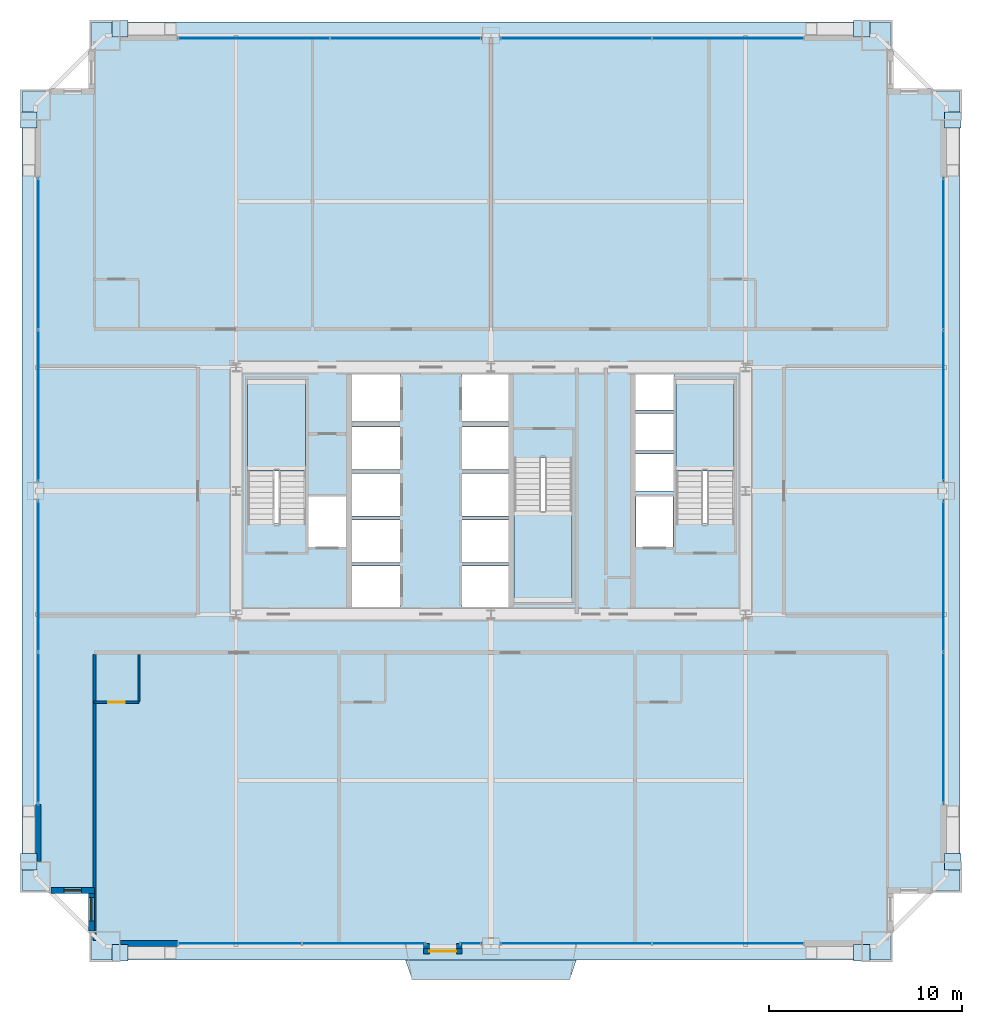
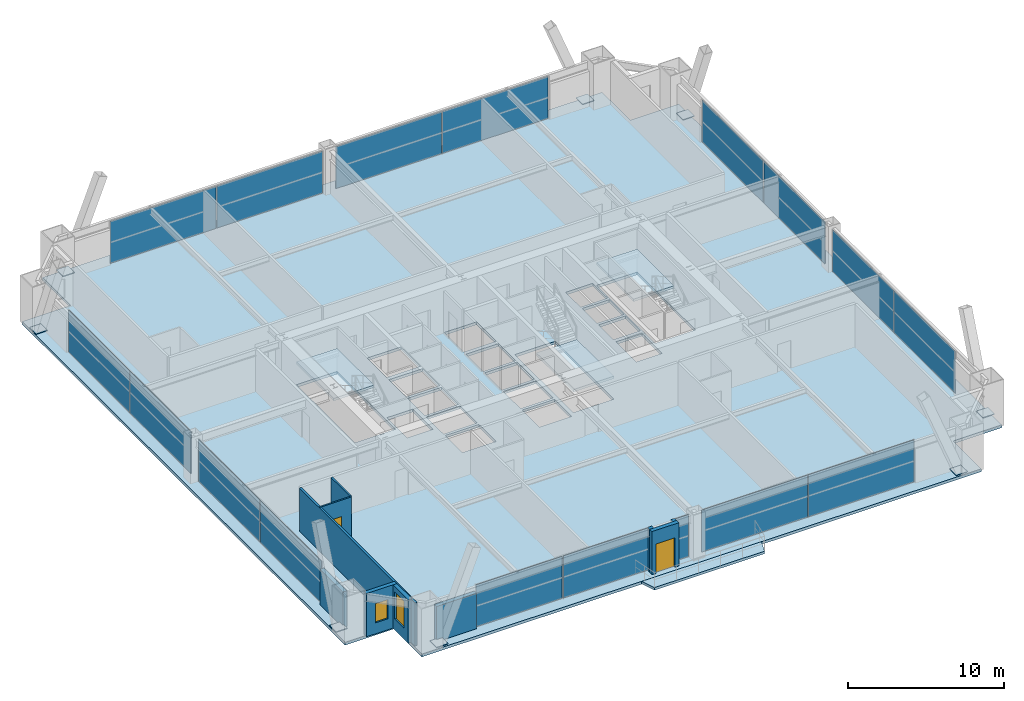
# One storey, part 38 of 43: 25 plates, 10 walls, 5 slabs, 2 doors, 2 windows, 4 openings, 12 elements without a shape of their own.
"""IFC4 building model written with IfcOpenShell, lengths in metres."""

from ifc_helpers import new_model, si_unit, direction, frame, frame_2d, origin, origin_2d, place, context, subcontext, project, spatial, polyline, rectangle, outline, extrude, source, transform, mapped, material, layer, layer_set, type_object, element, fill, aggregate, save


model = new_model("IFC4")

# Units and contexts
model_context = context("Model", 3, precision=1e-05, world=origin(), true_north=direction((0.0, 1.0)))
body_context = subcontext(model_context, "Body", "Model", "MODEL_VIEW")
ifc_project = project(units=[si_unit("LENGTHUNIT", "METRE"), si_unit("AREAUNIT", "SQUARE_METRE"), si_unit("VOLUMEUNIT", "CUBIC_METRE"), si_unit("PLANEANGLEUNIT", "RADIAN"), si_unit("MASSUNIT", "GRAM", prefix="KILO"), si_unit("THERMODYNAMICTEMPERATUREUNIT", "KELVIN"), si_unit("POWERUNIT", "WATT")], contexts=[model_context])

# Site, building, storey
site_placement = place(None, origin())
site = spatial("IfcSite", under=ifc_project, at=site_placement, CompositionType="ELEMENT")
building_placement = place(site_placement, origin())
building = spatial("IfcBuilding", under=site, at=building_placement, Name="Yuzanri Waterfront Tower", CompositionType="ELEMENT")
storey_placement = place(building_placement, frame((0.0, 0.0, 108.199951171875)))
storey = spatial("IfcBuildingStorey", under=building, at=storey_placement, Name="L28", CompositionType="ELEMENT", Elevation=108.199951171875)

# Slab
ifc_material_1 = material(Name="Concrete C40", Category="concrete")
ifc_layer_1 = layer(ifc_material_1, 0.199951171875)
ifc_layer_set_1 = layer_set([ifc_layer_1], Name="Concrete C40")
slab_type_1 = type_object("IfcSlabType", Name="Concrete C40 Cantilevered Engawa Wave Terrace Slab 200", PredefinedType="FLOOR", material=ifc_layer_set_1)
slab_1_placement = place(storey_placement, frame((0.0, 0.0, -0.199951171875)))
element("IfcSlab", 1, at=slab_1_placement, inside=storey, type_object=slab_type_1, Name="L28 S Cantilevered Engawa Terrace Slab", PredefinedType="FLOOR", context=body_context, shape_type="SweptSolid", body=[
    extrude(outline(polyline([(32.569580078125, 1.5), (41.430419921875, 1.5), (41.08056640625, 0.48095703125), (32.91943359375, 0.48095703125), (32.569580078125, 1.5)])), origin(), (0.0, 0.0, 1.0), 0.199951171875),
])

# Stair, slab
ifc_material_2 = material(Name="Concrete C40", Category="concrete")
stair_type = type_object("IfcStairType", Name="Concrete C40 Core Dogleg Exit Stair", PredefinedType="HALF_TURN_STAIR", material=ifc_material_2)
stair_1_placement = place(storey_placement, origin())
stair_1 = element("IfcStair", 2, at=stair_1_placement, inside=storey, type_object=stair_type, Name="L28 Smoke-Proof Core Stair ST-01", PredefinedType="HALF_TURN_STAIR")
ifc_material_3 = material(Name="Concrete C40", Category="concrete")
ifc_layer_2 = layer(ifc_material_3, 0.179931640625)
ifc_layer_set_2 = layer_set([ifc_layer_2], Name="Concrete C40")
slab_type_2 = type_object("IfcSlabType", Name="Concrete C40 Stair Half-Landing Slab 180", PredefinedType="LANDING", material=ifc_layer_set_2)
slab_2_placement = place(storey_placement, frame((0.0, 0.0, 1.60009765625)))
slab_2 = element("IfcSlab", 3, at=slab_2_placement, type_object=slab_type_2, Name="ST-01 landing 1", PredefinedType="LANDING", context=body_context, shape_type="SweptSolid", body=[
    extrude(outline(polyline([(27.39990234375, 26.840087890625), (27.39990234375, 31.580078125), (24.39990234375, 31.580078125), (24.39990234375, 26.840087890625), (27.39990234375, 26.840087890625)])), origin(), (0.0, 0.0, 1.0), 0.199951171875),
])
aggregate(stair_1, [slab_2])

stair_2_placement = place(storey_placement, origin())
stair_2 = element("IfcStair", 4, at=stair_2_placement, inside=storey, type_object=stair_type, Name="L28 Smoke-Proof Core Stair ST-02", PredefinedType="HALF_TURN_STAIR")
slab_3_placement = place(storey_placement, frame((0.0, 0.0, 1.60009765625)))
slab_3 = element("IfcSlab", 5, at=slab_3_placement, type_object=slab_type_2, Name="ST-02 landing 1", PredefinedType="LANDING", context=body_context, shape_type="SweptSolid", body=[
    extrude(outline(polyline([(49.60009765625, 26.840087890625), (49.60009765625, 31.580078125), (46.60009765625, 31.580078125), (46.60009765625, 26.840087890625), (49.60009765625, 26.840087890625)])), origin(), (0.0, 0.0, 1.0), 0.199951171875),
])
aggregate(stair_2, [slab_3])

stair_3_placement = place(storey_placement, origin())
stair_3 = element("IfcStair", 6, at=stair_3_placement, inside=storey, type_object=stair_type, Name="L28 Smoke-Proof Core Stair ST-03", PredefinedType="HALF_TURN_STAIR")
slab_4_placement = place(storey_placement, frame((0.0, 0.0, 1.60009765625)))
slab_4 = element("IfcSlab", 7, at=slab_4_placement, type_object=slab_type_2, Name="ST-03 landing 1", PredefinedType="LANDING", context=body_context, shape_type="SweptSolid", body=[
    extrude(outline(polyline([(38.199951171875, 24.760009765625), (38.199951171875, 20.02001953125), (41.199951171875, 20.02001953125), (41.199951171875, 24.760009765625), (38.199951171875, 24.760009765625)])), origin(), (0.0, 0.0, 1.0), 0.199951171875),
])
aggregate(stair_3, [slab_4])

# Slab
ifc_material_4 = material(Name="Concrete C40", Category="concrete")
ifc_layer_3 = layer(ifc_material_4, 0.219970703125)
ifc_layer_set_3 = layer_set([ifc_layer_3], Name="Concrete C40")
slab_type_3 = type_object("IfcSlabType", Name="Concrete C40 Tower Typical Structural Floor Slab 220", PredefinedType="FLOOR", material=ifc_layer_set_3)
slab_5_placement = place(storey_placement, frame((0.0, 0.0, -0.219970703125)))
element("IfcSlab", 8, at=slab_5_placement, inside=storey, type_object=slab_type_3, Name="L28 Main Structural Floor Slab", PredefinedType="FLOOR", context=body_context, shape_type="SweptSolid", body=[
    extrude(outline(polyline([(16.300048828125, 1.5), (57.699951171875, 1.5), (57.699951171875, 5.10009765625), (61.300048828125, 5.10009765625), (61.300048828125, 46.5), (57.699951171875, 46.5), (57.699951171875, 50.10009765625), (16.300048828125, 50.10009765625), (16.300048828125, 46.5), (12.699951171875, 46.5), (12.699951171875, 5.10009765625), (16.300048828125, 5.10009765625), (16.300048828125, 1.5)]), holes=[polyline([(27.39990234375, 24.10009765625), (27.39990234375, 31.580078125), (24.39990234375, 31.580078125), (24.39990234375, 24.10009765625), (27.39990234375, 24.10009765625)]), polyline([(49.60009765625, 24.10009765625), (49.60009765625, 31.580078125), (46.60009765625, 31.580078125), (46.60009765625, 24.10009765625), (49.60009765625, 24.10009765625)]), polyline([(38.199951171875, 27.5), (38.199951171875, 20.02001953125), (41.199951171875, 20.02001953125), (41.199951171875, 27.5), (38.199951171875, 27.5)]), polyline([(27.56005859375, 22.89990234375), (29.47998046875, 22.89990234375), (29.47998046875, 25.5), (27.56005859375, 25.5), (27.56005859375, 22.89990234375)]), polyline([(44.52001953125, 22.89990234375), (46.43994140625, 22.89990234375), (46.43994140625, 25.5), (44.52001953125, 25.5), (44.52001953125, 22.89990234375)]), polyline([(29.800048828125, 19.699951171875), (32.300048828125, 19.699951171875), (32.300048828125, 21.89990234375), (29.800048828125, 21.89990234375), (29.800048828125, 19.699951171875)]), polyline([(29.800048828125, 22.10009765625), (32.300048828125, 22.10009765625), (32.300048828125, 24.300048828125), (29.800048828125, 24.300048828125), (29.800048828125, 22.10009765625)]), polyline([(29.800048828125, 24.5), (32.300048828125, 24.5), (32.300048828125, 26.699951171875), (29.800048828125, 26.699951171875), (29.800048828125, 24.5)]), polyline([(29.800048828125, 26.89990234375), (32.300048828125, 26.89990234375), (32.300048828125, 29.10009765625), (29.800048828125, 29.10009765625), (29.800048828125, 26.89990234375)]), polyline([(29.800048828125, 29.39990234375), (32.300048828125, 29.39990234375), (32.300048828125, 31.89990234375), (29.800048828125, 31.89990234375), (29.800048828125, 29.39990234375)]), polyline([(35.5, 19.699951171875), (37.89990234375, 19.699951171875), (37.89990234375, 21.89990234375), (35.5, 21.89990234375), (35.5, 19.699951171875)]), polyline([(35.5, 22.10009765625), (37.89990234375, 22.10009765625), (37.89990234375, 24.300048828125), (35.5, 24.300048828125), (35.5, 22.10009765625)]), polyline([(35.5, 24.5), (37.89990234375, 24.5), (37.89990234375, 26.699951171875), (35.5, 26.699951171875), (35.5, 24.5)]), polyline([(35.5, 26.89990234375), (37.89990234375, 26.89990234375), (37.89990234375, 29.10009765625), (35.5, 29.10009765625), (35.5, 26.89990234375)]), polyline([(35.5, 29.39990234375), (37.89990234375, 29.39990234375), (37.89990234375, 31.89990234375), (35.5, 31.89990234375), (35.5, 29.39990234375)]), polyline([(44.5, 25.800048828125), (46.5, 25.800048828125), (46.5, 27.699951171875), (44.5, 27.699951171875), (44.5, 25.800048828125)]), polyline([(44.5, 27.89990234375), (46.5, 27.89990234375), (46.5, 29.800048828125), (44.5, 29.800048828125), (44.5, 27.89990234375)]), polyline([(44.5, 30.0), (46.5, 30.0), (46.5, 31.89990234375), (44.5, 31.89990234375), (44.5, 30.0)])]), origin(), (0.0, 0.0, 1.0), 0.219970703125),
])

# Plates
ifc_material_5 = material(Name="Steel Q420GJC", Category="steel")
ifc_layer_4 = layer(ifc_material_5, 0.0400390625)
ifc_layer_set_4 = layer_set([ifc_layer_4], Name="Steel Q420GJC")
plate_type_1 = type_object("IfcPlateType", Name="Steel Q420GJC Mega-Brace Gusset and End-Cap Plate 40", PredefinedType="SHEET", material=ifc_layer_set_4)
shared_shape_1 = source(origin(), body_context, "Body", "SweptSolid", [
    extrude(rectangle(XDim=0.85009765625, YDim=0.85009765625, at=origin_2d()), origin(), (0.0, 0.0, 1.0), 0.0400390625),
])
for number, where, z_axis, x_axis, name in (
    (9, (17.780029296875, 1.860107421875, 0.159912109375), (0.0, 0.0, 1.0), (1.0, 0.0, 0.0), "L28 Mega-Brace Foot Cap Plate S-L"),
    (10, (56.219970703125, 1.860107421875, 0.159912109375), (0.0, 0.0, 1.0), (1.0, 0.0, 0.0), "L28 Mega-Brace Foot Cap Plate S-R"),
    (11, (17.780029296875, 49.739990234375, 0.159912109375), (0.0, 0.0, 1.0), (1.0, 0.0, 0.0), "L28 Mega-Brace Foot Cap Plate N-L"),
    (12, (56.219970703125, 49.739990234375, 0.159912109375), (0.0, 0.0, 1.0), (1.0, 0.0, 0.0), "L28 Mega-Brace Foot Cap Plate N-R"),
    (13, (13.06005859375, 6.580078125, 0.159912109375), (0.0, 0.0, 1.0), (1.0, 0.0, 0.0), "L28 Mega-Brace Foot Cap Plate W-L"),
    (14, (13.06005859375, 45.02001953125, 0.159912109375), (0.0, 0.0, 1.0), (1.0, 0.0, 0.0), "L28 Mega-Brace Foot Cap Plate W-R"),
    (15, (60.93994140625, 6.580078125, 0.159912109375), (0.0, 0.0, 1.0), (1.0, 0.0, 0.0), "L28 Mega-Brace Foot Cap Plate E-L"),
    (16, (60.93994140625, 45.02001953125, 0.159912109375), (0.0, 0.0, 1.0), (1.0, 0.0, 0.0), "L28 Mega-Brace Foot Cap Plate E-R"),
):
    element("IfcPlate", number, at=place(storey_placement, frame(where, z_axis=z_axis, x_axis=x_axis)), inside=storey, type_object=plate_type_1, Name=name, PredefinedType="SHEET", context=body_context, shape_type="MappedRepresentation", body=[
        mapped(shared_shape_1, transform((0.0, 0.0, 0.0), scale=1.0)),
    ])

# Curtain wall, plates
ifc_material_6 = material(Name="Anodized Architectural Bronze", Category="metal")
ifc_layer_5 = layer(ifc_material_6, 0.159912109375)
ifc_layer_set_5 = layer_set([ifc_layer_5], Name="Anodized Architectural Bronze")
curtain_wall_type = type_object("IfcCurtainWallType", Name="Anodized Bronze Hotel Upper-Tier Solar-Control Unitized Curtain Wall 7800", PredefinedType="NOTDEFINED", material=ifc_layer_set_5)
curtain_wall_1_placement = place(storey_placement, origin())
curtain_wall_1 = element("IfcCurtainWall", 17, at=curtain_wall_1_placement, inside=storey, type_object=curtain_wall_type, Name="L28 Curtain Wall CW-L28-SR", PredefinedType="NOTDEFINED")
ifc_material_7 = material(Name="Double-Silver Low-E Insulated Glass", Category="glass")
ifc_layer_6 = layer(ifc_material_7, 0.035888671875)
ifc_layer_set_6 = layer_set([ifc_layer_6], Name="Double-Silver Low-E Insulated Glass")
plate_type_2 = type_object("IfcPlateType", Name="Double Silver Low-E Insulated Vision Glass Panel 36", PredefinedType="CURTAIN_PANEL", material=ifc_layer_set_6)
shared_shape_2 = source(origin(), body_context, "Body", "SweptSolid", [
    extrude(rectangle(XDim=7.820068359375, YDim=0.035888671875, at=origin_2d()), origin(), (0.0, 0.0, 1.0), 3.280029296875),
])
plate_1_placement = place(storey_placement, frame((41.39990234375, 2.35009765625, 0.0498046875), z_axis=(0.0, 0.0, 1.0), x_axis=(1.0, 0.0, 0.0)))
plate_1 = element("IfcPlate", 18, at=plate_1_placement, type_object=plate_type_2, Name="CW-L28-SR Vision Glass Panel 01", PredefinedType="CURTAIN_PANEL", context=body_context, shape_type="MappedRepresentation", body=[
    mapped(shared_shape_2, transform((0.0, 0.0, 0.0), scale=1.0)),
])
plate_2_placement = place(storey_placement, frame((49.300048828125, 2.35009765625, 0.0498046875), z_axis=(0.0, 0.0, 1.0), x_axis=(1.0, 0.0, 0.0)))
plate_2 = element("IfcPlate", 19, at=plate_2_placement, type_object=plate_type_2, Name="CW-L28-SR Vision Glass Panel 02", PredefinedType="CURTAIN_PANEL", context=body_context, shape_type="MappedRepresentation", body=[
    mapped(shared_shape_2, transform((0.0, 0.0, 0.0), scale=1.0)),
])
aggregate(curtain_wall_1, [plate_1, plate_2])

curtain_wall_2_placement = place(storey_placement, origin())
curtain_wall_2 = element("IfcCurtainWall", 20, at=curtain_wall_2_placement, inside=storey, type_object=curtain_wall_type, Name="L28 Curtain Wall CW-L28-NL", PredefinedType="NOTDEFINED")
plate_3_placement = place(storey_placement, frame((24.699951171875, 49.25, 0.0498046875), z_axis=(0.0, 0.0, 1.0), x_axis=(1.0, 0.0, 0.0)))
plate_3 = element("IfcPlate", 21, at=plate_3_placement, type_object=plate_type_2, Name="CW-L28-NL Vision Glass Panel 01", PredefinedType="CURTAIN_PANEL", context=body_context, shape_type="MappedRepresentation", body=[
    mapped(shared_shape_2, transform((0.0, 0.0, 0.0), scale=1.0)),
])
plate_4_placement = place(storey_placement, frame((32.60009765625, 49.25, 0.0498046875), z_axis=(0.0, 0.0, 1.0), x_axis=(1.0, 0.0, 0.0)))
plate_4 = element("IfcPlate", 22, at=plate_4_placement, type_object=plate_type_2, Name="CW-L28-NL Vision Glass Panel 02", PredefinedType="CURTAIN_PANEL", context=body_context, shape_type="MappedRepresentation", body=[
    mapped(shared_shape_2, transform((0.0, 0.0, 0.0), scale=1.0)),
])
aggregate(curtain_wall_2, [plate_3, plate_4])

curtain_wall_3_placement = place(storey_placement, origin())
curtain_wall_3 = element("IfcCurtainWall", 23, at=curtain_wall_3_placement, inside=storey, type_object=curtain_wall_type, Name="L28 Curtain Wall CW-L28-NR", PredefinedType="NOTDEFINED")
plate_5_placement = place(storey_placement, frame((41.39990234375, 49.25, 0.0498046875), z_axis=(0.0, 0.0, 1.0), x_axis=(1.0, 0.0, 0.0)))
plate_5 = element("IfcPlate", 24, at=plate_5_placement, type_object=plate_type_2, Name="CW-L28-NR Vision Glass Panel 01", PredefinedType="CURTAIN_PANEL", context=body_context, shape_type="MappedRepresentation", body=[
    mapped(shared_shape_2, transform((0.0, 0.0, 0.0), scale=1.0)),
])
plate_6_placement = place(storey_placement, frame((49.300048828125, 49.25, 0.0498046875), z_axis=(0.0, 0.0, 1.0), x_axis=(1.0, 0.0, 0.0)))
plate_6 = element("IfcPlate", 25, at=plate_6_placement, type_object=plate_type_2, Name="CW-L28-NR Vision Glass Panel 02", PredefinedType="CURTAIN_PANEL", context=body_context, shape_type="MappedRepresentation", body=[
    mapped(shared_shape_2, transform((0.0, 0.0, 0.0), scale=1.0)),
])
aggregate(curtain_wall_3, [plate_5, plate_6])

curtain_wall_4_placement = place(storey_placement, origin())
curtain_wall_4 = element("IfcCurtainWall", 26, at=curtain_wall_4_placement, inside=storey, type_object=curtain_wall_type, Name="L28 Curtain Wall CW-L28-WL", PredefinedType="NOTDEFINED")
plate_7_placement = place(storey_placement, frame((13.550048828125, 13.5, 0.0498046875), z_axis=(0.0, 0.0, 1.0), x_axis=(0.0, 1.0, 0.0)))
plate_7 = element("IfcPlate", 27, at=plate_7_placement, type_object=plate_type_2, Name="CW-L28-WL Vision Glass Panel 01", PredefinedType="CURTAIN_PANEL", context=body_context, shape_type="MappedRepresentation", body=[
    mapped(shared_shape_2, transform((0.0, 0.0, 0.0), scale=1.0)),
])
plate_8_placement = place(storey_placement, frame((13.550048828125, 21.39990234375, 0.0498046875), z_axis=(0.0, 0.0, 1.0), x_axis=(0.0, 1.0, 0.0)))
plate_8 = element("IfcPlate", 28, at=plate_8_placement, type_object=plate_type_2, Name="CW-L28-WL Vision Glass Panel 02", PredefinedType="CURTAIN_PANEL", context=body_context, shape_type="MappedRepresentation", body=[
    mapped(shared_shape_2, transform((0.0, 0.0, 0.0), scale=1.0)),
])
aggregate(curtain_wall_4, [plate_7, plate_8])

curtain_wall_5_placement = place(storey_placement, origin())
curtain_wall_5 = element("IfcCurtainWall", 29, at=curtain_wall_5_placement, inside=storey, type_object=curtain_wall_type, Name="L28 Curtain Wall CW-L28-WR", PredefinedType="NOTDEFINED")
plate_9_placement = place(storey_placement, frame((13.550048828125, 30.199951171875, 0.0498046875), z_axis=(0.0, 0.0, 1.0), x_axis=(0.0, 1.0, 0.0)))
plate_9 = element("IfcPlate", 30, at=plate_9_placement, type_object=plate_type_2, Name="CW-L28-WR Vision Glass Panel 01", PredefinedType="CURTAIN_PANEL", context=body_context, shape_type="MappedRepresentation", body=[
    mapped(shared_shape_2, transform((0.0, 0.0, 0.0), scale=1.0)),
])
plate_10_placement = place(storey_placement, frame((13.550048828125, 38.10009765625, 0.0498046875), z_axis=(0.0, 0.0, 1.0), x_axis=(0.0, 1.0, 0.0)))
plate_10 = element("IfcPlate", 31, at=plate_10_placement, type_object=plate_type_2, Name="CW-L28-WR Vision Glass Panel 02", PredefinedType="CURTAIN_PANEL", context=body_context, shape_type="MappedRepresentation", body=[
    mapped(shared_shape_2, transform((0.0, 0.0, 0.0), scale=1.0)),
])
aggregate(curtain_wall_5, [plate_9, plate_10])

curtain_wall_6_placement = place(storey_placement, origin())
curtain_wall_6 = element("IfcCurtainWall", 32, at=curtain_wall_6_placement, inside=storey, type_object=curtain_wall_type, Name="L28 Curtain Wall CW-L28-EL", PredefinedType="NOTDEFINED")
plate_11_placement = place(storey_placement, frame((60.449951171875, 13.5, 0.0498046875), z_axis=(0.0, 0.0, 1.0), x_axis=(0.0, 1.0, 0.0)))
plate_11 = element("IfcPlate", 33, at=plate_11_placement, type_object=plate_type_2, Name="CW-L28-EL Vision Glass Panel 01", PredefinedType="CURTAIN_PANEL", context=body_context, shape_type="MappedRepresentation", body=[
    mapped(shared_shape_2, transform((0.0, 0.0, 0.0), scale=1.0)),
])
plate_12_placement = place(storey_placement, frame((60.449951171875, 21.39990234375, 0.0498046875), z_axis=(0.0, 0.0, 1.0), x_axis=(0.0, 1.0, 0.0)))
plate_12 = element("IfcPlate", 34, at=plate_12_placement, type_object=plate_type_2, Name="CW-L28-EL Vision Glass Panel 02", PredefinedType="CURTAIN_PANEL", context=body_context, shape_type="MappedRepresentation", body=[
    mapped(shared_shape_2, transform((0.0, 0.0, 0.0), scale=1.0)),
])
aggregate(curtain_wall_6, [plate_11, plate_12])

curtain_wall_7_placement = place(storey_placement, origin())
curtain_wall_7 = element("IfcCurtainWall", 35, at=curtain_wall_7_placement, inside=storey, type_object=curtain_wall_type, Name="L28 Curtain Wall CW-L28-ER", PredefinedType="NOTDEFINED")
plate_13_placement = place(storey_placement, frame((60.449951171875, 30.199951171875, 0.0498046875), z_axis=(0.0, 0.0, 1.0), x_axis=(0.0, 1.0, 0.0)))
plate_13 = element("IfcPlate", 36, at=plate_13_placement, type_object=plate_type_2, Name="CW-L28-ER Vision Glass Panel 01", PredefinedType="CURTAIN_PANEL", context=body_context, shape_type="MappedRepresentation", body=[
    mapped(shared_shape_2, transform((0.0, 0.0, 0.0), scale=1.0)),
])
plate_14_placement = place(storey_placement, frame((60.449951171875, 38.10009765625, 0.0498046875), z_axis=(0.0, 0.0, 1.0), x_axis=(0.0, 1.0, 0.0)))
plate_14 = element("IfcPlate", 37, at=plate_14_placement, type_object=plate_type_2, Name="CW-L28-ER Vision Glass Panel 02", PredefinedType="CURTAIN_PANEL", context=body_context, shape_type="MappedRepresentation", body=[
    mapped(shared_shape_2, transform((0.0, 0.0, 0.0), scale=1.0)),
])
aggregate(curtain_wall_7, [plate_13, plate_14])

curtain_wall_8_placement = place(storey_placement, origin())
curtain_wall_8 = element("IfcCurtainWall", 38, at=curtain_wall_8_placement, inside=storey, type_object=curtain_wall_type, Name="L28 Curtain Wall CW-L28-SL1", PredefinedType="NOTDEFINED")
shared_shape_3 = source(origin(), body_context, "Body", "SweptSolid", [
    extrude(rectangle(XDim=6.375, YDim=0.035888671875, at=origin_2d()), origin(), (0.0, 0.0, 1.0), 3.280029296875),
])
plate_15_placement = place(storey_placement, frame((23.9775390625, 2.35009765625, 0.0498046875), z_axis=(0.0, 0.0, 1.0), x_axis=(1.0, 0.0, 0.0)))
plate_15 = element("IfcPlate", 39, at=plate_15_placement, type_object=plate_type_2, Name="CW-L28-SL1 Vision Glass Panel 01", PredefinedType="CURTAIN_PANEL", context=body_context, shape_type="MappedRepresentation", body=[
    mapped(shared_shape_3, transform((0.0, 0.0, 0.0), scale=1.0)),
])
plate_16_placement = place(storey_placement, frame((30.4326171875, 2.35009765625, 0.0498046875), z_axis=(0.0, 0.0, 1.0), x_axis=(1.0, 0.0, 0.0)))
plate_16 = element("IfcPlate", 40, at=plate_16_placement, type_object=plate_type_2, Name="CW-L28-SL1 Vision Glass Panel 02", PredefinedType="CURTAIN_PANEL", context=body_context, shape_type="MappedRepresentation", body=[
    mapped(shared_shape_3, transform((0.0, 0.0, 0.0), scale=1.0)),
])
aggregate(curtain_wall_8, [plate_15, plate_16])

# Curtain wall, plate
curtain_wall_9_placement = place(storey_placement, origin())
curtain_wall_9 = element("IfcCurtainWall", 41, at=curtain_wall_9_placement, inside=storey, type_object=curtain_wall_type, Name="L28 Curtain Wall CW-L28-SL2", PredefinedType="NOTDEFINED")
shared_shape_4 = source(origin(), body_context, "Body", "SweptSolid", [
    extrude(rectangle(XDim=1.110107421875, YDim=0.035888671875, at=origin_2d()), origin(), (0.0, 0.0, 1.0), 3.280029296875),
])
plate_17_placement = place(storey_placement, frame((35.955078125, 2.35009765625, 0.0498046875), z_axis=(0.0, 0.0, 1.0), x_axis=(1.0, 0.0, 0.0)))
plate_17 = element("IfcPlate", 42, at=plate_17_placement, type_object=plate_type_2, Name="CW-L28-SL2 Vision Glass Panel 01", PredefinedType="CURTAIN_PANEL", context=body_context, shape_type="MappedRepresentation", body=[
    mapped(shared_shape_4, transform((0.0, 0.0, 0.0), scale=1.0)),
])
aggregate(curtain_wall_9, [plate_17])

# Wall, opening, door
ifc_material_8 = material(Name="Moisture-Resistant Gypsum Stud Wall", Category="gypsum")
ifc_layer_7 = layer(ifc_material_8, 0.1201171875)
ifc_layer_set_7 = layer_set([ifc_layer_7], Name="Moisture-Resistant Gypsum Stud Wall")
wall_type_1 = type_object("IfcWallType", Name="Bathroom and Kitchen Wet Partition 120", PredefinedType="PARTITIONING", material=ifc_layer_set_7)
wall_1_placement = place(storey_placement, frame((16.43994140625, 14.840087890625, 0.0), z_axis=(0.0, 0.0, 1.0), x_axis=(1.0, 0.0, 0.0)))
wall_1 = element("IfcWall", 43, at=wall_1_placement, inside=storey, type_object=wall_type_1, Name="L28 Partition UW-L28-S1-BS", PredefinedType="PARTITIONING", context=body_context, shape_type="SweptSolid", body=[
    extrude(rectangle(XDim=2.330078125, YDim=0.1201171875, at=frame_2d((1.1650390625, 0.0))), origin(), (0.0, 0.0, 1.0), 3.380126953125),
])
opening_1_placement = place(wall_1_placement, frame((0.739990234375, 0.0, 0.0)))
opening_1 = element("IfcOpeningElement", 44, at=opening_1_placement, cuts=wall_1, Name="Opening ID-0850", PredefinedType="OPENING", context=body_context, shape_type="SweptSolid", body=[
    extrude(rectangle(XDim=0.85009765625, YDim=2.10009765625, at=frame_2d((0.425048828125, 1.050048828125))), frame((0.0, 0.074951171875, 0.0), z_axis=(0.0, -1.0, 0.0), x_axis=(1.0, 0.0, 0.0)), (0.0, 0.0, 1.0), 0.14990234375),
])
ifc_material_9 = material(Name="Moisture-Resistant Lacquered Timber", Category="wood")
door_type_1 = type_object("IfcDoorType", Name="En-Suite Bathroom and Kitchen Swing Door 850x2100", OperationType="NOTDEFINED", PredefinedType="DOOR", material=ifc_material_9)
shared_shape_5 = source(origin(), body_context, "Body", "SweptSolid", [
    extrude(rectangle(XDim=0.85009765625, YDim=2.10009765625, at=frame_2d((0.425048828125, 1.050048828125))), frame((0.0, 0.02490234375, 0.0), z_axis=(0.0, -1.0, 0.0), x_axis=(1.0, 0.0, 0.0)), (0.0, 0.0, 1.0), 0.050048828125),
])
door_1_placement = place(opening_1_placement, origin())
door_1 = element("IfcDoor", 45, at=door_1_placement, inside=storey, type_object=door_type_1, Name="L28 Guest En-Suite Door", OperationType="SINGLE_SWING_LEFT", OverallHeight=2.10009765625, OverallWidth=0.85009765625, PredefinedType="DOOR", context=body_context, shape_type="MappedRepresentation", body=[
    mapped(shared_shape_5, transform((0.0, 0.0, 0.0), scale=1.0)),
])
fill(opening_1, door_1)

# Wall, opening, window
ifc_material_10 = material(Name="Honed Chongqing Dark Basalt Stone", Category="masonry")
ifc_layer_8 = layer(ifc_material_10, 0.300048828125)
ifc_layer_set_8 = layer_set([ifc_layer_8], Name="Honed Chongqing Dark Basalt Stone")
wall_type_2 = type_object("IfcWallType", Name="Bronze Rainscreen Insulated Spandrel Portal Wall 300", PredefinedType="SOLIDWALL", material=ifc_layer_set_8)
wall_2_placement = place(storey_placement, frame((14.199951171875, 5.10009765625, 0.0), z_axis=(0.0, 0.0, 1.0), x_axis=(1.0, 0.0, 0.0)))
wall_2 = element("IfcWall", 46, at=wall_2_placement, inside=storey, type_object=wall_type_2, Name="L28 Notched Corner Masonry Wall SW-X", PredefinedType="SOLIDWALL", context=body_context, shape_type="SweptSolid", body=[
    extrude(rectangle(XDim=2.25, YDim=0.300048828125, at=frame_2d((1.125, 0.0))), origin(), (0.0, 0.0, 1.0), 3.380126953125),
])
opening_2_placement = place(wall_2_placement, frame((0.675048828125, 0.0, 0.85009765625)))
opening_2 = element("IfcOpeningElement", 47, at=opening_2_placement, cuts=wall_2, Name="Opening WN-05", PredefinedType="OPENING", context=body_context, shape_type="SweptSolid", body=[
    extrude(rectangle(XDim=0.89990234375, YDim=1.5, at=frame_2d((0.449951171875, 0.75))), frame((0.0, 0.1650390625, 0.0), z_axis=(0.0, -1.0, 0.0), x_axis=(1.0, 0.0, 0.0)), (0.0, 0.0, 1.0), 0.329833984375),
])
ifc_material_11 = material(Name="Double-Silver Low-E Insulated Glass", Category="glass")
window_type_1 = type_object("IfcWindowType", Name="Anodized Bronze Service and Stairwell Smoke-Vent Window 900x1500", PartitioningType="SINGLE_PANEL", PredefinedType="WINDOW", material=ifc_material_11)
shared_shape_6 = source(origin(), body_context, "Body", "SweptSolid", [
    extrude(rectangle(XDim=0.89990234375, YDim=1.5, at=frame_2d((0.449951171875, 0.75))), frame((0.0, 0.030029296875, 0.0), z_axis=(0.0, -1.0, 0.0), x_axis=(1.0, 0.0, 0.0)), (0.0, 0.0, 1.0), 0.06005859375),
])
window_1_placement = place(opening_2_placement, origin())
window_1 = element("IfcWindow", 48, at=window_1_placement, inside=storey, type_object=window_type_1, Name="L28 Notched Corner Window SW-X", OverallHeight=1.5, OverallWidth=0.89990234375, PartitioningType="SINGLE_PANEL", PredefinedType="WINDOW", context=body_context, shape_type="MappedRepresentation", body=[
    mapped(shared_shape_6, transform((0.0, 0.0, 0.0), scale=1.0)),
])
fill(opening_2, window_1)

wall_3_placement = place(storey_placement, frame((16.300048828125, 5.25, 0.0), z_axis=(0.0, 0.0, 1.0), x_axis=(0.0, -1.0, 0.0)))
wall_3 = element("IfcWall", 49, at=wall_3_placement, inside=storey, type_object=wall_type_2, Name="L28 Notched Corner Masonry Wall SW-Y", PredefinedType="SOLIDWALL", context=body_context, shape_type="SweptSolid", body=[
    extrude(rectangle(XDim=2.25, YDim=0.300048828125, at=frame_2d((1.125, 0.0))), origin(), (0.0, 0.0, 1.0), 3.380126953125),
])
opening_3_placement = place(wall_3_placement, frame((0.52490234375, 0.0, 0.85009765625)))
opening_3 = element("IfcOpeningElement", 50, at=opening_3_placement, cuts=wall_3, Name="Opening WN-02", PredefinedType="OPENING", context=body_context, shape_type="SweptSolid", body=[
    extrude(rectangle(XDim=1.199951171875, YDim=2.10009765625, at=frame_2d((0.60009765625, 1.050048828125))), frame((0.0, 0.1650390625, 0.0), z_axis=(0.0, -1.0, 0.0), x_axis=(1.0, 0.0, 0.0)), (0.0, 0.0, 1.0), 0.329833984375),
])
ifc_material_12 = material(Name="Double-Silver Low-E Insulated Glass", Category="glass")
window_type_2 = type_object("IfcWindowType", Name="Anodized Bronze Notched Corner Deep-Set Slot Window 1200x2100", PartitioningType="SINGLE_PANEL", PredefinedType="WINDOW", material=ifc_material_12)
shared_shape_7 = source(origin(), body_context, "Body", "SweptSolid", [
    extrude(rectangle(XDim=1.199951171875, YDim=2.10009765625, at=frame_2d((0.60009765625, 1.050048828125))), frame((0.0, 0.030029296875, 0.0), z_axis=(0.0, -1.0, 0.0), x_axis=(1.0, 0.0, 0.0)), (0.0, 0.0, 1.0), 0.06005859375),
])
window_2_placement = place(opening_3_placement, origin())
window_2 = element("IfcWindow", 51, at=window_2_placement, inside=storey, type_object=window_type_2, Name="L28 Notched Corner Window SW-Y", OverallHeight=2.10009765625, OverallWidth=1.199951171875, PartitioningType="SINGLE_PANEL", PredefinedType="WINDOW", context=body_context, shape_type="MappedRepresentation", body=[
    mapped(shared_shape_7, transform((0.0, 0.0, 0.0), scale=1.0)),
])
fill(opening_3, window_2)

# Wall, opening, door
wall_4_placement = place(storey_placement, frame((33.510009765625, 1.949951171875, 0.0), z_axis=(0.0, 0.0, 1.0), x_axis=(1.0, 0.0, 0.0)))
wall_4 = element("IfcWall", 52, at=wall_4_placement, inside=storey, type_object=wall_type_2, Name="L28 S Terrace Door Portal Wall", PredefinedType="SOLIDWALL", context=body_context, shape_type="SweptSolid", body=[
    extrude(rectangle(XDim=2.0, YDim=0.300048828125, at=frame_2d((1.0, 0.0))), origin(), (0.0, 0.0, 1.0), 3.380126953125),
])
opening_4_placement = place(wall_4_placement, frame((0.300048828125, 0.0, 0.0)))
opening_4 = element("IfcOpeningElement", 53, at=opening_4_placement, cuts=wall_4, Name="Opening TD-1400", PredefinedType="OPENING", context=body_context, shape_type="SweptSolid", body=[
    extrude(rectangle(XDim=1.39990234375, YDim=2.300048828125, at=frame_2d((0.699951171875, 1.14990234375))), frame((0.0, 0.1650390625, 0.0), z_axis=(0.0, -1.0, 0.0), x_axis=(1.0, 0.0, 0.0)), (0.0, 0.0, 1.0), 0.329833984375),
])
ifc_material_13 = material(Name="Anodized Architectural Bronze", Category="metal")
door_type_2 = type_object("IfcDoorType", Name="Anodized Bronze Balcony and Terrace Glazed Double Door 1400x2300", OperationType="NOTDEFINED", PredefinedType="DOOR", material=ifc_material_13)
shared_shape_8 = source(origin(), body_context, "Body", "SweptSolid", [
    extrude(rectangle(XDim=1.39990234375, YDim=2.300048828125, at=frame_2d((0.699951171875, 1.14990234375))), frame((0.0, 0.02490234375, 0.0), z_axis=(0.0, -1.0, 0.0), x_axis=(1.0, 0.0, 0.0)), (0.0, 0.0, 1.0), 0.050048828125),
])
door_2_placement = place(opening_4_placement, origin())
door_2 = element("IfcDoor", 54, at=door_2_placement, inside=storey, type_object=door_type_2, Name="L28 S Terrace Glazed Double Door", OperationType="DOUBLE_DOOR_SINGLE_SWING", OverallHeight=2.300048828125, OverallWidth=1.39990234375, PredefinedType="DOOR", context=body_context, shape_type="MappedRepresentation", body=[
    mapped(shared_shape_8, transform((0.0, 0.0, 0.0), scale=1.0)),
])
fill(opening_4, door_2)

# Walls
shared_shape_9 = source(origin(), body_context, "Body", "SweptSolid", [
    extrude(rectangle(XDim=0.25, YDim=0.300048828125, at=frame_2d((0.125, 0.0))), origin(), (0.0, 0.0, 1.0), 3.380126953125),
])
for number, where, z_axis, x_axis, name in (
    (55, (33.659912109375, 2.35009765625, 0.0), (0.0, 0.0, 1.0), (0.0, -1.0, 0.0), "L28 S Terrace Portal Left Return"),
    (56, (35.360107421875, 2.10009765625, 0.0), (0.0, 0.0, 1.0), (0.0, 1.0, 0.0), "L28 S Terrace Portal Right Return"),
):
    element("IfcWall", number, at=place(storey_placement, frame(where, z_axis=z_axis, x_axis=x_axis)), inside=storey, type_object=wall_type_2, Name=name, PredefinedType="SOLIDWALL", context=body_context, shape_type="MappedRepresentation", body=[
        mapped(shared_shape_9, transform((0.0, 0.0, 0.0), scale=1.0)),
    ])
shared_shape_10 = source(origin(), body_context, "Body", "SweptSolid", [
    extrude(rectangle(XDim=2.949951171875, YDim=0.300048828125, at=frame_2d((1.47509765625, 0.0))), origin(), (0.0, 0.0, 1.0), 2.775146484375),
])
for number, where, z_axis, x_axis, name in (
    (57, (17.800048828125, 2.35009765625, 0.0), (0.0, 0.0, 1.0), (1.0, 0.0, 0.0), "L28 S Left Braced Masonry Shoulder"),
    (58, (13.550048828125, 6.60009765625, 0.0), (0.0, 0.0, 1.0), (0.0, 1.0, 0.0), "L28 W Left Braced Masonry Shoulder"),
):
    element("IfcWall", number, at=place(storey_placement, frame(where, z_axis=z_axis, x_axis=x_axis)), inside=storey, type_object=wall_type_2, Name=name, PredefinedType="SOLIDWALL", context=body_context, shape_type="MappedRepresentation", body=[
        mapped(shared_shape_10, transform((0.0, 0.0, 0.0), scale=1.0)),
    ])
shared_shape_11 = source(origin(), body_context, "Body", "SweptSolid", [
    extrude(rectangle(XDim=2.420166015625, YDim=0.1201171875, at=frame_2d((1.2099609375, 0.0))), origin(), (0.0, 0.0, 1.0), 3.380126953125),
])
wall_5_placement = place(storey_placement, frame((18.77001953125, 14.89990234375, 0.0), z_axis=(0.0, 0.0, 1.0), x_axis=(0.0, 1.0, 0.0)))
element("IfcWall", 59, at=wall_5_placement, inside=storey, type_object=wall_type_1, Name="L28-S1 En-Suite Side Wall", PredefinedType="PARTITIONING", context=body_context, shape_type="MappedRepresentation", body=[
    mapped(shared_shape_11, transform((0.0, 0.0, 0.0), scale=1.0)),
])
ifc_material_14 = material(Name="Gypsum Fireboard Acoustic Stud Wall", Category="gypsum")
ifc_layer_9 = layer(ifc_material_14, 0.159912109375)
ifc_layer_set_9 = layer_set([ifc_layer_9], Name="Gypsum Fireboard Acoustic Stud Wall")
wall_type_3 = type_object("IfcWallType", Name="Acoustic Suite Demising Partition 160", PredefinedType="PARTITIONING", material=ifc_layer_set_9)
shared_shape_12 = source(origin(), body_context, "Body", "SweptSolid", [
    extrude(rectangle(XDim=14.820068359375, YDim=0.159912109375, at=frame_2d((7.41015625, 0.0))), origin(), (0.0, 0.0, 1.0), 3.380126953125),
])
wall_6_placement = place(storey_placement, frame((16.449951171875, 2.5, 0.0), z_axis=(0.0, 0.0, 1.0), x_axis=(0.0, 1.0, 0.0)))
element("IfcWall", 60, at=wall_6_placement, inside=storey, type_object=wall_type_3, Name="L28 South Band West End Wall", PredefinedType="PARTITIONING", context=body_context, shape_type="MappedRepresentation", body=[
    mapped(shared_shape_12, transform((0.0, 0.0, 0.0), scale=1.0)),
])

save(model, "model.ifc")
